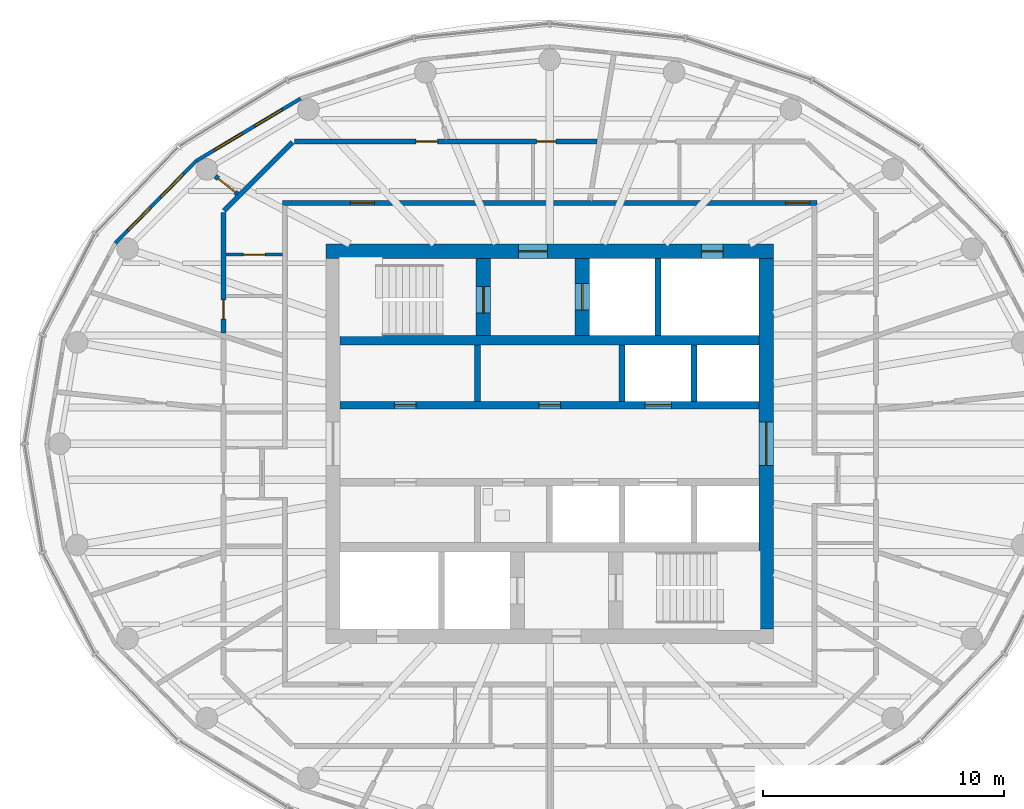
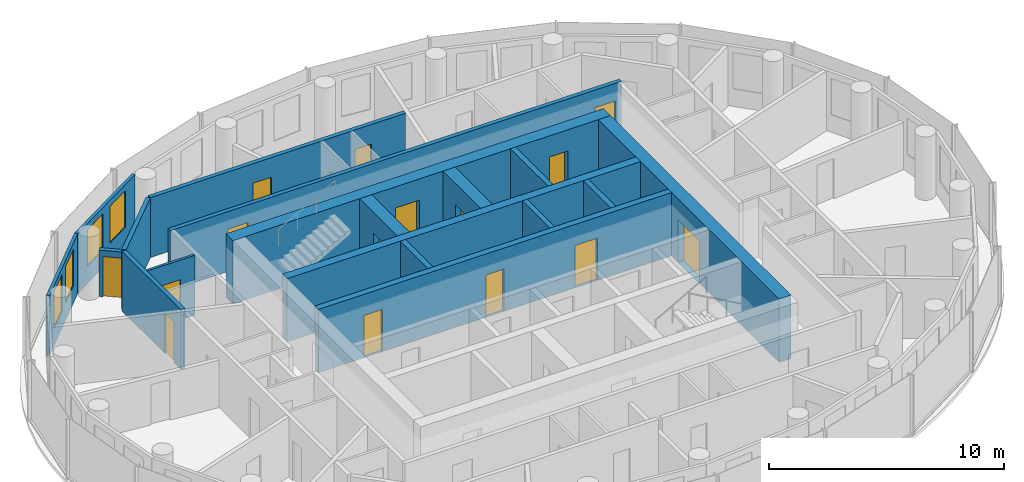
# One storey, part 7 of 12: 18 walls, 15 doors, 4 windows, 19 openings.
"""IFC4 building model written with IfcOpenShell, lengths in metres."""

import ifcopenshell
import ifcopenshell.guid

model = None  # the IFC model being written
_history = None  # IfcOwnerHistory: only IFC2X3 demands one
_inside = {}  # id of a spatial element -> (the spatial element, [elements in it])
_under = {}  # id of a project, library or spatial element -> (it, [spatial elements below it])
_declared = {}  # id of a project -> (the project, [libraries it declares])
_typed = {}  # id of a type object -> (the type object, [elements of that type])
_made_of = {}  # id of a material, layer set ... -> (it, [elements and type objects made of it])


def new_model(schema):
    """Start an empty IFC model of exactly this schema.

    Asked for "IFC4X3", IfcOpenShell would pick the latest addendum, in which some entities
    have other attributes; the version numbers below select the first issue.
    IFC2X3 requires an IfcOwnerHistory on every rooted entity: one is made here for all.
    """
    global model, _history
    if schema == "IFC4X3":
        model = ifcopenshell.file(schema_version=(4, 3, 0, 0))
    else:
        model = ifcopenshell.file(schema=schema)
    _inside.clear()
    _under.clear()
    _declared.clear()
    _typed.clear()
    _made_of.clear()
    _history = None
    if model.schema == "IFC2X3":
        org = make("IfcOrganization", Name="unknown")
        user = make(
            "IfcPersonAndOrganization",
            ThePerson=make("IfcPerson", FamilyName="unknown"),
            TheOrganization=org,
        )
        app = make(
            "IfcApplication",
            ApplicationDeveloper=org,
            Version="unknown",
            ApplicationFullName="unknown",
            ApplicationIdentifier="unknown",
        )
        _history = make(
            "IfcOwnerHistory",
            OwningUser=user,
            OwningApplication=app,
            ChangeAction="ADDED",
            CreationDate=0,
        )
    return model


def make(cls, **values):
    """One entity of the class cls with the attributes given. An attribute that is None is left unset."""
    return model.create_entity(
        cls, **{name: value for name, value in values.items() if value is not None}
    )


def rooted(cls, **values):
    """An entity with a GlobalId (a new one), such as an element, a storey or a relation."""
    return make(cls, GlobalId=ifcopenshell.guid.new(), OwnerHistory=_history, **values)


def si_unit(unit_type, name, prefix=None):
    """IfcSIUnit, for example si_unit("LENGTHUNIT", "METRE", prefix="MILLI")."""
    return make("IfcSIUnit", UnitType=unit_type, Prefix=prefix, Name=name)


def assignment(units):
    """IfcUnitAssignment: the units of a project."""
    return None if units is None else make("IfcUnitAssignment", Units=units)


def point(xyz):
    """IfcCartesianPoint."""
    return None if xyz is None else make("IfcCartesianPoint", Coordinates=xyz)


def direction(xyz):
    """IfcDirection."""
    return None if xyz is None else make("IfcDirection", DirectionRatios=xyz)


def frame(location, z_axis=None, x_axis=None):
    """IfcAxis2Placement3D, a coordinate frame: its origin and axes. An axis left out is left unset."""
    return make(
        "IfcAxis2Placement3D",
        Location=point(location),
        Axis=direction(z_axis),
        RefDirection=direction(x_axis),
    )


def frame_2d(location, x_axis=None):
    """IfcAxis2Placement2D, a coordinate frame in the plane: its origin and x axis."""
    return make(
        "IfcAxis2Placement2D", Location=point(location), RefDirection=direction(x_axis)
    )


def origin():
    """The frame at (0, 0, 0) with its axes left unset."""
    return frame((0.0, 0.0, 0.0))


def place(relative_to, where):
    """IfcLocalPlacement: puts the frame where relative to a parent placement (None: the world)."""
    return make(
        "IfcLocalPlacement", PlacementRelTo=relative_to, RelativePlacement=where
    )


def context(
    kind, dimensions, precision=None, world=None, true_north=None, identifier=None
):
    """IfcGeometricRepresentationContext, for example the 3D "Model" context."""
    return make(
        "IfcGeometricRepresentationContext",
        ContextIdentifier=identifier,
        ContextType=kind,
        CoordinateSpaceDimension=dimensions,
        Precision=precision,
        WorldCoordinateSystem=world,
        TrueNorth=true_north,
    )


def subcontext(parent, identifier, kind, view, scale=None):
    """IfcGeometricRepresentationSubContext, for example "Body" below "Model"."""
    return make(
        "IfcGeometricRepresentationSubContext",
        ContextIdentifier=identifier,
        ContextType=kind,
        ParentContext=parent,
        TargetScale=scale,
        TargetView=view,
    )


def project(units=None, contexts=None):
    """IfcProject with its units and contexts."""
    return rooted(
        "IfcProject",
        Name="project",
        RepresentationContexts=contexts,
        UnitsInContext=assignment(units),
    )


def spatial(cls, under=None, at=None, **own):
    """A site, building, storey or space (cls), placed at a placement, below another one or the project."""
    s = rooted(cls, ObjectPlacement=at, **own)
    if under is not None:
        _under.setdefault(under.id(), (under, []))[1].append(s)
    return s


def profile(cls, at=None, kind="AREA", **sizes):
    """A parametric profile (cls). Its sizes go by their IFC names, for example OverallWidth=200.0."""
    return make(cls, ProfileType=kind, Position=at, **sizes)


def rectangle(**sizes):
    """IfcRectangleProfileDef."""
    return profile("IfcRectangleProfileDef", **sizes)


def extrude(swept, where, along, depth):
    """IfcExtrudedAreaSolid: the profile swept, set in the frame where, extruded along a direction by depth."""
    return make(
        "IfcExtrudedAreaSolid",
        SweptArea=swept,
        Position=where,
        ExtrudedDirection=direction(along),
        Depth=depth,
    )


def shape(context_of_items, identifier, shape_type, items):
    """IfcShapeRepresentation: the items that make up one representation, for example the "Body"."""
    return make(
        "IfcShapeRepresentation",
        ContextOfItems=context_of_items,
        RepresentationIdentifier=identifier,
        RepresentationType=shape_type,
        Items=items,
    )


def material(Name=None, Category=None):
    """IfcMaterial."""
    return make("IfcMaterial", Name=Name, Category=Category)


def layer(
    of_material, thickness, ventilated=None, Name=None, Category=None, Priority=None
):
    """IfcMaterialLayer: one layer of a wall or slab, of a material (None: an air gap)."""
    return make(
        "IfcMaterialLayer",
        Material=of_material,
        LayerThickness=thickness,
        IsVentilated=ventilated,
        Name=Name,
        Category=Category,
        Priority=Priority,
    )


def layer_set(layers, Name=None):
    """IfcMaterialLayerSet."""
    return make("IfcMaterialLayerSet", MaterialLayers=layers, LayerSetName=Name)


def made_of(thing, what):
    """Note that an element or type object is made of a material, layer set ...; save() writes the relation."""
    if what is not None:
        _made_of.setdefault(what.id(), (what, []))[1].append(thing)
    return thing


def type_object(cls, material=None, **own):
    """A type object (cls), such as IfcWallType, which elements share."""
    return made_of(rooted(cls, **own), material)


def element(
    cls,
    number,
    at=None,
    inside=None,
    cuts=None,
    type_object=None,
    material=None,
    context=None,
    identifier="Body",
    shape_type=None,
    held_by="IfcProductDefinitionShape",
    body=None,
    shapes=None,
    **own,
):
    """One element of the class cls, such as IfcWall. Its Tag is "e" and its number.

    at: its placement. inside: the storey or other place that contains it. cuts: it is an
    opening in that element (IfcRelVoidsElement). A single representation is given by context,
    identifier, shape_type and body (its items); several are given by shapes. held_by: the class
    of the entity that holds the representations. save() writes the other relations.
    """
    e = rooted(cls, Tag="e%d" % number, ObjectPlacement=at, **own)
    if body is not None:
        shapes = [shape(context, identifier, shape_type, body)]
    if shapes is not None:
        e.Representation = make(held_by, Representations=shapes)
    if inside is not None:
        _inside.setdefault(inside.id(), (inside, []))[1].append(e)
    if cuts is not None:
        rooted(
            "IfcRelVoidsElement", RelatingBuildingElement=cuts, RelatedOpeningElement=e
        )
    if type_object is not None:
        _typed.setdefault(type_object.id(), (type_object, []))[1].append(e)
    return made_of(e, material)


def fill(opening, filler):
    """IfcRelFillsElement: the door or window that sits in an opening."""
    return rooted(
        "IfcRelFillsElement",
        RelatingOpeningElement=opening,
        RelatedBuildingElement=filler,
    )


def aggregate(whole, parts):
    """IfcRelAggregates: a whole, such as a stair, and the parts it consists of."""
    return rooted("IfcRelAggregates", RelatingObject=whole, RelatedObjects=parts)


def save(model, path):
    """Write the relations noted so far, then the file.

    IfcRelAggregates (storeys below a building ...), IfcRelContainedInSpatialStructure (elements
    in a storey), IfcRelDefinesByType, IfcRelAssociatesMaterial and IfcRelDeclares: one each for
    every whole, place, type object, material and project.
    """
    for whole, parts in _under.values():
        aggregate(whole, parts)
    for where, things in _inside.values():
        rooted(
            "IfcRelContainedInSpatialStructure",
            RelatedElements=things,
            RelatingStructure=where,
        )
    for kind, things in _typed.values():
        rooted("IfcRelDefinesByType", RelatedObjects=things, RelatingType=kind)
    for what, things in _made_of.values():
        rooted("IfcRelAssociatesMaterial", RelatedObjects=things, RelatingMaterial=what)
    for by, libraries in _declared.values():
        rooted("IfcRelDeclares", RelatingContext=by, RelatedDefinitions=libraries)
    model.write(path)


model = new_model("IFC4")

# Units and contexts
model_context = context("Model", 3, precision=1e-05, world=origin(), true_north=direction((0.0, 1.0)))
body_context = subcontext(model_context, "Body", "Model", "MODEL_VIEW")
ifc_project = project(units=[si_unit("LENGTHUNIT", "METRE"), si_unit("AREAUNIT", "SQUARE_METRE"), si_unit("VOLUMEUNIT", "CUBIC_METRE"), si_unit("PLANEANGLEUNIT", "RADIAN"), si_unit("MASSUNIT", "GRAM", prefix="KILO")], contexts=[model_context])

# Site, building, storey
site_placement = place(None, origin())
site = spatial("IfcSite", under=ifc_project, at=site_placement, CompositionType="ELEMENT")
building_placement = place(site_placement, origin())
building = spatial("IfcBuilding", under=site, at=building_placement, Name="Hankou Lantern Tower", CompositionType="ELEMENT")
storey_placement = place(building_placement, frame((0.0, 0.0, 216.0)))
storey = spatial("IfcBuildingStorey", under=building, at=storey_placement, Name="L58", CompositionType="ELEMENT", Elevation=216.0)

# Wall, openings, doors
ifc_material_1 = material(Name="Concrete C60", Category="concrete")
ifc_layer_1 = layer(ifc_material_1, 0.60009765625)
ifc_layer_set_1 = layer_set([ifc_layer_1], Name="Concrete C60")
wall_type_1 = type_object("IfcWallType", Name="CW3 CORE WALL 600", PredefinedType="SHEAR", material=ifc_layer_set_1)
wall_1_placement = place(storey_placement, frame((-9.300048828125, 8.0, 0.0), z_axis=(0.0, 0.0, 1.0), x_axis=(1.0, 0.0, 0.0)))
wall_1 = element("IfcWall", 1, at=wall_1_placement, inside=storey, type_object=wall_type_1, Name="Core wall north L58", PredefinedType="SHEAR", context=body_context, shape_type="SweptSolid", body=[
    extrude(rectangle(XDim=18.60009765625, YDim=0.60009765625, at=frame_2d((9.300048828125, 0.0))), origin(), (0.0, 0.0, 1.0), 3.300048828125),
])
opening_1_placement = place(wall_1_placement, frame((8.0, 0.0, 0.0)))
opening_1 = element("IfcOpeningElement", 2, at=opening_1_placement, cuts=wall_1, Name="Opening D5", PredefinedType="OPENING", context=body_context, shape_type="SweptSolid", body=[
    extrude(rectangle(XDim=1.199951171875, YDim=2.199951171875, at=frame_2d((0.60009765625, 1.10009765625))), frame((0.0, 0.31005859375, 0.0), z_axis=(0.0, -1.0, 0.0), x_axis=(1.0, 0.0, 0.0)), (0.0, 0.0, 1.0), 0.6201171875),
])
opening_2_placement = place(wall_1_placement, frame((15.60009765625, 0.0, 0.0)))
opening_2 = element("IfcOpeningElement", 3, at=opening_2_placement, cuts=wall_1, Name="Opening D7", PredefinedType="OPENING", context=body_context, shape_type="SweptSolid", body=[
    extrude(rectangle(XDim=0.89990234375, YDim=2.199951171875, at=frame_2d((0.449951171875, 1.10009765625))), frame((0.0, 0.31005859375, 0.0), z_axis=(0.0, -1.0, 0.0), x_axis=(1.0, 0.0, 0.0)), (0.0, 0.0, 1.0), 0.6201171875),
])
ifc_material_2 = material(Name="Steel door leaf", Category="steel")
door_type_1 = type_object("IfcDoorType", Name="D5 STAIR LOBBY DOOR 1200X2200", OperationType="SINGLE_SWING_LEFT", PredefinedType="DOOR", material=ifc_material_2)
door_1_placement = place(opening_1_placement, origin())
door_1 = element("IfcDoor", 4, at=door_1_placement, inside=storey, type_object=door_type_1, Name="Stair A lobby door", OperationType="SINGLE_SWING_LEFT", OverallHeight=2.199951171875, OverallWidth=1.199951171875, PredefinedType="DOOR", context=body_context, shape_type="SweptSolid", body=[
    extrude(rectangle(XDim=1.199951171875, YDim=2.199951171875, at=frame_2d((0.60009765625, 1.10009765625))), frame((0.0, 0.02490234375, 0.0), z_axis=(0.0, -1.0, 0.0), x_axis=(1.0, 0.0, 0.0)), (0.0, 0.0, 1.0), 0.050048828125),
])
fill(opening_1, door_1)
ifc_material_3 = material(Name="Steel door leaf", Category="steel")
door_type_2 = type_object("IfcDoorType", Name="D7 RISER DOOR 900X2200", OperationType="SINGLE_SWING_LEFT", PredefinedType="DOOR", material=ifc_material_3)
door_2_placement = place(opening_2_placement, origin())
door_2 = element("IfcDoor", 5, at=door_2_placement, inside=storey, type_object=door_type_2, Name="Riser N1 door", OperationType="SINGLE_SWING_RIGHT", OverallHeight=2.199951171875, OverallWidth=0.89990234375, PredefinedType="DOOR", context=body_context, shape_type="SweptSolid", body=[
    extrude(rectangle(XDim=0.89990234375, YDim=2.199951171875, at=frame_2d((0.449951171875, 1.10009765625))), frame((0.0, 0.02490234375, 0.0), z_axis=(0.0, -1.0, 0.0), x_axis=(1.0, 0.0, 0.0)), (0.0, 0.0, 1.0), 0.050048828125),
])
fill(opening_2, door_2)

# Wall, opening, door
wall_2_placement = place(storey_placement, frame((9.0, -7.699951171875, 0.0), z_axis=(0.0, 0.0, 1.0), x_axis=(0.0, 1.0, 0.0)))
wall_2 = element("IfcWall", 6, at=wall_2_placement, inside=storey, type_object=wall_type_1, Name="Core wall east L58", PredefinedType="SHEAR", context=body_context, shape_type="SweptSolid", body=[
    extrude(rectangle(XDim=15.39990234375, YDim=0.60009765625, at=frame_2d((7.699951171875, 0.0))), origin(), (0.0, 0.0, 1.0), 3.300048828125),
])
opening_3_placement = place(wall_2_placement, frame((6.800048828125, 0.0, 0.0)))
opening_3 = element("IfcOpeningElement", 7, at=opening_3_placement, cuts=wall_2, Name="Opening D6", PredefinedType="OPENING", context=body_context, shape_type="SweptSolid", body=[
    extrude(rectangle(XDim=1.800048828125, YDim=2.199951171875, at=frame_2d((0.89990234375, 1.10009765625))), frame((0.0, 0.31005859375, 0.0), z_axis=(0.0, -1.0, 0.0), x_axis=(1.0, 0.0, 0.0)), (0.0, 0.0, 1.0), 0.6201171875),
])
ifc_material_4 = material(Name="Steel door leaf", Category="steel")
door_type_3 = type_object("IfcDoorType", Name="D6 LIFT LOBBY DOOR 1800X2200", OperationType="DOUBLE_DOOR_DOUBLE_SWING", PredefinedType="DOOR", material=ifc_material_4)
door_3_placement = place(opening_3_placement, origin())
door_3 = element("IfcDoor", 8, at=door_3_placement, inside=storey, type_object=door_type_3, Name="Lift lobby east door", OperationType="DOUBLE_DOOR_DOUBLE_SWING", OverallHeight=2.199951171875, OverallWidth=1.800048828125, PredefinedType="DOOR", context=body_context, shape_type="SweptSolid", body=[
    extrude(rectangle(XDim=1.800048828125, YDim=2.199951171875, at=frame_2d((0.89990234375, 1.10009765625))), frame((0.0, 0.02490234375, 0.0), z_axis=(0.0, -1.0, 0.0), x_axis=(1.0, 0.0, 0.0)), (0.0, 0.0, 1.0), 0.050048828125),
])
fill(opening_3, door_3)

# Wall
ifc_material_5 = material(Name="Concrete C60", Category="concrete")
ifc_layer_2 = layer(ifc_material_5, 0.39990234375)
ifc_layer_set_2 = layer_set([ifc_layer_2], Name="Concrete C60")
wall_type_2 = type_object("IfcWallType", Name="CW4 CORE CROSS WALL 400", PredefinedType="SHEAR", material=ifc_layer_set_2)
wall_3_placement = place(storey_placement, frame((-8.699951171875, 4.300048828125, 0.0), z_axis=(0.0, 0.0, 1.0), x_axis=(1.0, 0.0, 0.0)))
element("IfcWall", 9, at=wall_3_placement, inside=storey, type_object=wall_type_2, Name="Core band wall north L58", PredefinedType="SHEAR", context=body_context, shape_type="SweptSolid", body=[
    extrude(rectangle(XDim=17.39990234375, YDim=0.39990234375, at=frame_2d((8.699951171875, 0.0))), origin(), (0.0, 0.0, 1.0), 3.300048828125),
])

# Wall, openings, doors
ifc_material_6 = material(Name="Concrete C60", Category="concrete")
ifc_layer_3 = layer(ifc_material_6, 0.300048828125)
ifc_layer_set_3 = layer_set([ifc_layer_3], Name="Concrete C60")
wall_type_3 = type_object("IfcWallType", Name="CW5 LIFT LOBBY WALL 300", PredefinedType="SHEAR", material=ifc_layer_set_3)
wall_4_placement = place(storey_placement, frame((-8.699951171875, 1.60009765625, 0.0), z_axis=(0.0, 0.0, 1.0), x_axis=(1.0, 0.0, 0.0)))
wall_4 = element("IfcWall", 10, at=wall_4_placement, inside=storey, type_object=wall_type_3, Name="Lift lobby wall north L58", PredefinedType="SHEAR", context=body_context, shape_type="SweptSolid", body=[
    extrude(rectangle(XDim=17.39990234375, YDim=0.300048828125, at=frame_2d((8.699951171875, 0.0))), origin(), (0.0, 0.0, 1.0), 3.300048828125),
])
opening_4_placement = place(wall_4_placement, frame((12.64990234375, 0.0, 0.0)))
opening_4 = element("IfcOpeningElement", 11, at=opening_4_placement, cuts=wall_4, Name="Opening LD1", PredefinedType="OPENING", context=body_context, shape_type="SweptSolid", body=[
    extrude(rectangle(XDim=1.10009765625, YDim=2.199951171875, at=frame_2d((0.550048828125, 1.10009765625))), frame((0.0, 0.159912109375, 0.0), z_axis=(0.0, -1.0, 0.0), x_axis=(1.0, 0.0, 0.0)), (0.0, 0.0, 1.0), 0.320068359375),
])
opening_5_placement = place(wall_4_placement, frame((2.25, 0.0, 0.0)))
opening_5 = element("IfcOpeningElement", 12, at=opening_5_placement, cuts=wall_4, Name="Opening D30", PredefinedType="OPENING", context=body_context, shape_type="SweptSolid", body=[
    extrude(rectangle(XDim=0.89990234375, YDim=2.199951171875, at=frame_2d((0.449951171875, 1.10009765625))), frame((0.0, 0.159912109375, 0.0), z_axis=(0.0, -1.0, 0.0), x_axis=(1.0, 0.0, 0.0)), (0.0, 0.0, 1.0), 0.320068359375),
])
opening_6_placement = place(wall_4_placement, frame((8.25, 0.0, 0.0)))
opening_6 = element("IfcOpeningElement", 13, at=opening_6_placement, cuts=wall_4, Name="Opening D30", PredefinedType="OPENING", context=body_context, shape_type="SweptSolid", body=[
    extrude(rectangle(XDim=0.89990234375, YDim=2.199951171875, at=frame_2d((0.449951171875, 1.10009765625))), frame((0.0, 0.159912109375, 0.0), z_axis=(0.0, -1.0, 0.0), x_axis=(1.0, 0.0, 0.0)), (0.0, 0.0, 1.0), 0.320068359375),
])
ifc_material_7 = material(Name="Steel door leaf", Category="steel")
door_type_4 = type_object("IfcDoorType", Name="D30 CORE ROOM DOOR 900X2200", OperationType="SINGLE_SWING_LEFT", PredefinedType="DOOR", material=ifc_material_7)
door_4_placement = place(opening_5_placement, origin())
door_4 = element("IfcDoor", 14, at=door_4_placement, inside=storey, type_object=door_type_4, Name="Guest pantry and ice room door", OperationType="SINGLE_SWING_LEFT", OverallHeight=2.199951171875, OverallWidth=0.89990234375, PredefinedType="DOOR", context=body_context, shape_type="SweptSolid", body=[
    extrude(rectangle(XDim=0.89990234375, YDim=2.199951171875, at=frame_2d((0.449951171875, 1.10009765625))), frame((0.0, 0.02490234375, 0.0), z_axis=(0.0, -1.0, 0.0), x_axis=(1.0, 0.0, 0.0)), (0.0, 0.0, 1.0), 0.050048828125),
])
fill(opening_5, door_4)
door_5_placement = place(opening_6_placement, origin())
door_5 = element("IfcDoor", 15, at=door_5_placement, inside=storey, type_object=door_type_4, Name="Vending room door", OperationType="SINGLE_SWING_LEFT", OverallHeight=2.199951171875, OverallWidth=0.89990234375, PredefinedType="DOOR", context=body_context, shape_type="SweptSolid", body=[
    extrude(rectangle(XDim=0.89990234375, YDim=2.199951171875, at=frame_2d((0.449951171875, 1.10009765625))), frame((0.0, 0.02490234375, 0.0), z_axis=(0.0, -1.0, 0.0), x_axis=(1.0, 0.0, 0.0)), (0.0, 0.0, 1.0), 0.050048828125),
])
fill(opening_6, door_5)
ifc_material_8 = material(Name="Steel door leaf", Category="steel")
door_type_5 = type_object("IfcDoorType", Name="LD1 LIFT LANDING DOOR 1100X2200", OperationType="DOUBLE_DOOR_SLIDING", PredefinedType="DOOR", material=ifc_material_8)
door_6_placement = place(opening_4_placement, origin())
door_6 = element("IfcDoor", 16, at=door_6_placement, inside=storey, type_object=door_type_5, Name="Lift T1 landing door", OperationType="DOUBLE_DOOR_SLIDING", OverallHeight=2.199951171875, OverallWidth=1.10009765625, PredefinedType="DOOR", context=body_context, shape_type="SweptSolid", body=[
    extrude(rectangle(XDim=1.10009765625, YDim=2.199951171875, at=frame_2d((0.550048828125, 1.10009765625))), frame((0.0, 0.02490234375, 0.0), z_axis=(0.0, -1.0, 0.0), x_axis=(1.0, 0.0, 0.0)), (0.0, 0.0, 1.0), 0.050048828125),
])
fill(opening_4, door_6)

# Wall, opening, door
ifc_material_9 = material(Name="Concrete C60", Category="concrete")
ifc_layer_4 = layer(ifc_material_9, 0.60009765625)
ifc_layer_set_4 = layer_set([ifc_layer_4], Name="Concrete C60")
wall_type_4 = type_object("IfcWallType", Name="CW6 STAIR AND SHAFT WALL 600", PredefinedType="SHEAR", material=ifc_layer_set_4)
wall_5_placement = place(storey_placement, frame((-2.75, 4.5, 0.0), z_axis=(0.0, 0.0, 1.0), x_axis=(0.0, 1.0, 0.0)))
wall_5 = element("IfcWall", 17, at=wall_5_placement, inside=storey, type_object=wall_type_4, Name="Stair wall L58", PredefinedType="SHEAR", context=body_context, shape_type="SweptSolid", body=[
    extrude(rectangle(XDim=3.199951171875, YDim=0.60009765625, at=frame_2d((1.60009765625, 0.0))), origin(), (0.0, 0.0, 1.0), 3.300048828125),
])
opening_7_placement = place(wall_5_placement, frame((0.925048828125, 0.0, 0.0)))
opening_7 = element("IfcOpeningElement", 18, at=opening_7_placement, cuts=wall_5, Name="Opening D4", PredefinedType="OPENING", context=body_context, shape_type="SweptSolid", body=[
    extrude(rectangle(XDim=1.10009765625, YDim=2.199951171875, at=frame_2d((0.550048828125, 1.10009765625))), frame((0.0, 0.31005859375, 0.0), z_axis=(0.0, -1.0, 0.0), x_axis=(1.0, 0.0, 0.0)), (0.0, 0.0, 1.0), 0.6201171875),
])
ifc_material_10 = material(Name="Steel door leaf", Category="steel")
door_type_6 = type_object("IfcDoorType", Name="D4 STAIR DOOR 1100X2200", OperationType="SINGLE_SWING_LEFT", PredefinedType="DOOR", material=ifc_material_10)
door_7_placement = place(opening_7_placement, origin())
door_7 = element("IfcDoor", 19, at=door_7_placement, inside=storey, type_object=door_type_6, Name="Stair A door", OperationType="SINGLE_SWING_LEFT", OverallHeight=2.199951171875, OverallWidth=1.10009765625, PredefinedType="DOOR", context=body_context, shape_type="SweptSolid", body=[
    extrude(rectangle(XDim=1.10009765625, YDim=2.199951171875, at=frame_2d((0.550048828125, 1.10009765625))), frame((0.0, 0.02490234375, 0.0), z_axis=(0.0, -1.0, 0.0), x_axis=(1.0, 0.0, 0.0)), (0.0, 0.0, 1.0), 0.050048828125),
])
fill(opening_7, door_7)

wall_6_placement = place(storey_placement, frame((1.35009765625, 4.5, 0.0), z_axis=(0.0, 0.0, 1.0), x_axis=(0.0, 1.0, 0.0)))
wall_6 = element("IfcWall", 20, at=wall_6_placement, inside=storey, type_object=wall_type_4, Name="Firefighting lift shaft wall L58", PredefinedType="SHEAR", context=body_context, shape_type="SweptSolid", body=[
    extrude(rectangle(XDim=3.199951171875, YDim=0.60009765625, at=frame_2d((1.60009765625, 0.0))), origin(), (0.0, 0.0, 1.0), 3.300048828125),
])
opening_8_placement = place(wall_6_placement, frame((1.050048828125, 0.0, 0.0)))
opening_8 = element("IfcOpeningElement", 21, at=opening_8_placement, cuts=wall_6, Name="Opening LD2", PredefinedType="OPENING", context=body_context, shape_type="SweptSolid", body=[
    extrude(rectangle(XDim=1.10009765625, YDim=2.199951171875, at=frame_2d((0.550048828125, 1.10009765625))), frame((0.0, 0.31005859375, 0.0), z_axis=(0.0, -1.0, 0.0), x_axis=(1.0, 0.0, 0.0)), (0.0, 0.0, 1.0), 0.6201171875),
])
ifc_material_11 = material(Name="Steel door leaf", Category="steel")
door_type_7 = type_object("IfcDoorType", Name="LD2 FIREFIGHTING LIFT LANDING DOOR 1100X2200", OperationType="DOUBLE_DOOR_SLIDING", PredefinedType="DOOR", material=ifc_material_11)
door_8_placement = place(opening_8_placement, origin())
door_8 = element("IfcDoor", 22, at=door_8_placement, inside=storey, type_object=door_type_7, Name="Firefighting lift FL1 landing door", OperationType="DOUBLE_DOOR_SLIDING", OverallHeight=2.199951171875, OverallWidth=1.10009765625, PredefinedType="DOOR", context=body_context, shape_type="SweptSolid", body=[
    extrude(rectangle(XDim=1.10009765625, YDim=2.199951171875, at=frame_2d((0.550048828125, 1.10009765625))), frame((0.0, 0.02490234375, 0.0), z_axis=(0.0, -1.0, 0.0), x_axis=(1.0, 0.0, 0.0)), (0.0, 0.0, 1.0), 0.050048828125),
])
fill(opening_8, door_8)

# Wall, openings, windows
ifc_material_12 = material(Name="Aluminium spandrel panel on steel studs", Category="steel")
ifc_layer_5 = layer(ifc_material_12, 0.14990234375)
ifc_layer_set_5 = layer_set([ifc_layer_5], Name="Aluminium spandrel panel on steel studs")
wall_type_5 = type_object("IfcWallType", Name="EW1 INNER SKIN WALL 150", PredefinedType="ELEMENTEDWALL", material=ifc_layer_set_5)
wall_7_placement = place(storey_placement, frame((-10.346435546875, 14.33642578125, 0.0), z_axis=(0.0, 0.0, 1.0), x_axis=(-0.85822150553, -0.513279502265, 0.0)))
wall_7 = element("IfcWall", 23, at=wall_7_placement, inside=storey, type_object=wall_type_5, Name="Inner skin R09-R10 L58", PredefinedType="ELEMENTEDWALL", context=body_context, shape_type="SweptSolid", body=[
    extrude(rectangle(XDim=5.050048828125, YDim=0.14990234375, at=frame_2d((2.52490234375, 0.0))), origin(), (0.0, 0.0, 1.0), 3.1201171875),
])
opening_9_placement = place(wall_7_placement, frame((0.875, 0.0, 0.89990234375)))
opening_9 = element("IfcOpeningElement", 24, at=opening_9_placement, cuts=wall_7, Name="Opening W4", PredefinedType="OPENING", context=body_context, shape_type="SweptSolid", body=[
    extrude(rectangle(XDim=1.35009765625, YDim=1.89990234375, at=frame_2d((0.675048828125, 0.949951171875))), frame((0.0, 0.0849609375, 0.0), z_axis=(0.0, -1.0, 0.0), x_axis=(1.0, 0.0, 0.0)), (0.0, 0.0, 1.0), 0.169921875),
])
opening_10_placement = place(wall_7_placement, frame((2.824951171875, 0.0, 0.89990234375)))
opening_10 = element("IfcOpeningElement", 25, at=opening_10_placement, cuts=wall_7, Name="Opening W4", PredefinedType="OPENING", context=body_context, shape_type="SweptSolid", body=[
    extrude(rectangle(XDim=1.35009765625, YDim=1.89990234375, at=frame_2d((0.675048828125, 0.949951171875))), frame((0.0, 0.0849609375, 0.0), z_axis=(0.0, -1.0, 0.0), x_axis=(1.0, 0.0, 0.0)), (0.0, 0.0, 1.0), 0.169921875),
])
ifc_material_13 = material(Name="Aluminium framed double glazed window", Category="aluminium")
window_type = type_object("IfcWindowType", Name="W4 SUITE WINDOW 1350X1900", PartitioningType="DOUBLE_PANEL_VERTICAL", PredefinedType="WINDOW", material=ifc_material_13)
window_1_placement = place(opening_9_placement, origin())
window_1 = element("IfcWindow", 26, at=window_1_placement, inside=storey, type_object=window_type, Name="Window R09.1 L58", OverallHeight=1.89990234375, OverallWidth=1.35009765625, PartitioningType="SINGLE_PANEL", PredefinedType="WINDOW", context=body_context, shape_type="SweptSolid", body=[
    extrude(rectangle(XDim=1.35009765625, YDim=1.89990234375, at=frame_2d((0.675048828125, 0.949951171875))), frame((0.0, 0.030029296875, 0.0), z_axis=(0.0, -1.0, 0.0), x_axis=(1.0, 0.0, 0.0)), (0.0, 0.0, 1.0), 0.06005859375),
])
fill(opening_9, window_1)
window_2_placement = place(opening_10_placement, origin())
window_2 = element("IfcWindow", 27, at=window_2_placement, inside=storey, type_object=window_type, Name="Window R09.2 L58", OverallHeight=1.89990234375, OverallWidth=1.35009765625, PartitioningType="SINGLE_PANEL", PredefinedType="WINDOW", context=body_context, shape_type="SweptSolid", body=[
    extrude(rectangle(XDim=1.35009765625, YDim=1.89990234375, at=frame_2d((0.675048828125, 0.949951171875))), frame((0.0, 0.030029296875, 0.0), z_axis=(0.0, -1.0, 0.0), x_axis=(1.0, 0.0, 0.0)), (0.0, 0.0, 1.0), 0.06005859375),
])
fill(opening_10, window_2)

wall_8_placement = place(storey_placement, frame((-14.680419921875, 11.744384765625, 0.0), z_axis=(0.0, 0.0, 1.0), x_axis=(-0.701527379618, -0.712642501993, 0.0)))
wall_8 = element("IfcWall", 28, at=wall_8_placement, inside=storey, type_object=wall_type_5, Name="Inner skin R10-R11 L58", PredefinedType="ELEMENTEDWALL", context=body_context, shape_type="SweptSolid", body=[
    extrude(rectangle(XDim=4.788330078125, YDim=0.14990234375, at=frame_2d((2.39404296875, 0.0))), origin(), (0.0, 0.0, 1.0), 3.1201171875),
])
opening_11_placement = place(wall_8_placement, frame((0.744140625, 0.0, 0.89990234375)))
opening_11 = element("IfcOpeningElement", 29, at=opening_11_placement, cuts=wall_8, Name="Opening W4", PredefinedType="OPENING", context=body_context, shape_type="SweptSolid", body=[
    extrude(rectangle(XDim=1.35009765625, YDim=1.89990234375, at=frame_2d((0.675048828125, 0.949951171875))), frame((0.0, 0.0849609375, 0.0), z_axis=(0.0, -1.0, 0.0), x_axis=(1.0, 0.0, 0.0)), (0.0, 0.0, 1.0), 0.169921875),
])
opening_12_placement = place(wall_8_placement, frame((2.694091796875, 0.0, 0.89990234375)))
opening_12 = element("IfcOpeningElement", 30, at=opening_12_placement, cuts=wall_8, Name="Opening W4", PredefinedType="OPENING", context=body_context, shape_type="SweptSolid", body=[
    extrude(rectangle(XDim=1.35009765625, YDim=1.89990234375, at=frame_2d((0.675048828125, 0.949951171875))), frame((0.0, 0.0849609375, 0.0), z_axis=(0.0, -1.0, 0.0), x_axis=(1.0, 0.0, 0.0)), (0.0, 0.0, 1.0), 0.169921875),
])
window_3_placement = place(opening_11_placement, origin())
window_3 = element("IfcWindow", 31, at=window_3_placement, inside=storey, type_object=window_type, Name="Window R10.1 L58", OverallHeight=1.89990234375, OverallWidth=1.35009765625, PartitioningType="SINGLE_PANEL", PredefinedType="WINDOW", context=body_context, shape_type="SweptSolid", body=[
    extrude(rectangle(XDim=1.35009765625, YDim=1.89990234375, at=frame_2d((0.675048828125, 0.949951171875))), frame((0.0, 0.030029296875, 0.0), z_axis=(0.0, -1.0, 0.0), x_axis=(1.0, 0.0, 0.0)), (0.0, 0.0, 1.0), 0.06005859375),
])
fill(opening_11, window_3)
window_4_placement = place(opening_12_placement, origin())
window_4 = element("IfcWindow", 32, at=window_4_placement, inside=storey, type_object=window_type, Name="Window R10.2 L58", OverallHeight=1.89990234375, OverallWidth=1.35009765625, PartitioningType="SINGLE_PANEL", PredefinedType="WINDOW", context=body_context, shape_type="SweptSolid", body=[
    extrude(rectangle(XDim=1.35009765625, YDim=1.89990234375, at=frame_2d((0.675048828125, 0.949951171875))), frame((0.0, 0.030029296875, 0.0), z_axis=(0.0, -1.0, 0.0), x_axis=(1.0, 0.0, 0.0)), (0.0, 0.0, 1.0), 0.06005859375),
])
fill(opening_12, window_4)

# Wall, openings, doors
ifc_material_14 = material(Name="Masonry lightweight concrete block", Category="masonry")
ifc_layer_6 = layer(ifc_material_14, 0.199951171875)
ifc_layer_set_6 = layer_set([ifc_layer_6], Name="Masonry lightweight concrete block")
wall_type_6 = type_object("IfcWallType", Name="IW2 CORRIDOR WALL 200", PredefinedType="PARTITIONING", material=ifc_layer_set_6)
wall_9_placement = place(storey_placement, frame((-11.10009765625, 10.0, 0.0), z_axis=(0.0, 0.0, 1.0), x_axis=(1.0, 0.0, 0.0)))
wall_9 = element("IfcWall", 33, at=wall_9_placement, inside=storey, type_object=wall_type_6, Name="Corridor wall north", PredefinedType="PARTITIONING", context=body_context, shape_type="SweptSolid", body=[
    extrude(rectangle(XDim=22.2001953125, YDim=0.199951171875, at=frame_2d((11.10009765625, 0.0))), origin(), (0.0, 0.0, 1.0), 3.1201171875),
])
opening_13_placement = place(wall_9_placement, frame((20.89990234375, 0.0, 0.0)))
opening_13 = element("IfcOpeningElement", 34, at=opening_13_placement, cuts=wall_9, Name="Opening D2", PredefinedType="OPENING", context=body_context, shape_type="SweptSolid", body=[
    extrude(rectangle(XDim=1.0, YDim=2.199951171875, at=frame_2d((0.5, 1.10009765625))), frame((0.0, 0.10986328125, 0.0), z_axis=(0.0, -1.0, 0.0), x_axis=(1.0, 0.0, 0.0)), (0.0, 0.0, 1.0), 0.219970703125),
])
opening_14_placement = place(wall_9_placement, frame((2.819580078125, 0.0, 0.0)))
opening_14 = element("IfcOpeningElement", 35, at=opening_14_placement, cuts=wall_9, Name="Opening D2", PredefinedType="OPENING", context=body_context, shape_type="SweptSolid", body=[
    extrude(rectangle(XDim=1.0, YDim=2.199951171875, at=frame_2d((0.5, 1.10009765625))), frame((0.0, 0.10986328125, 0.0), z_axis=(0.0, -1.0, 0.0), x_axis=(1.0, 0.0, 0.0)), (0.0, 0.0, 1.0), 0.219970703125),
])
ifc_material_15 = material(Name="Steel door leaf", Category="steel")
door_type_8 = type_object("IfcDoorType", Name="D2 SUITE DOOR 1000X2200", OperationType="SINGLE_SWING_LEFT", PredefinedType="DOOR", material=ifc_material_15)
door_9_placement = place(opening_13_placement, origin())
door_9 = element("IfcDoor", 36, at=door_9_placement, inside=storey, type_object=door_type_8, Name="Suite door 5801", OperationType="SINGLE_SWING_LEFT", OverallHeight=2.199951171875, OverallWidth=1.0, PredefinedType="DOOR", context=body_context, shape_type="SweptSolid", body=[
    extrude(rectangle(XDim=1.0, YDim=2.199951171875, at=frame_2d((0.5, 1.10009765625))), frame((0.0, 0.02490234375, 0.0), z_axis=(0.0, -1.0, 0.0), x_axis=(1.0, 0.0, 0.0)), (0.0, 0.0, 1.0), 0.050048828125),
])
fill(opening_13, door_9)
door_10_placement = place(opening_14_placement, origin())
door_10 = element("IfcDoor", 37, at=door_10_placement, inside=storey, type_object=door_type_8, Name="Suite door 5802", OperationType="SINGLE_SWING_RIGHT", OverallHeight=2.199951171875, OverallWidth=1.0, PredefinedType="DOOR", context=body_context, shape_type="SweptSolid", body=[
    extrude(rectangle(XDim=1.0, YDim=2.199951171875, at=frame_2d((0.5, 1.10009765625))), frame((0.0, 0.02490234375, 0.0), z_axis=(0.0, -1.0, 0.0), x_axis=(1.0, 0.0, 0.0)), (0.0, 0.0, 1.0), 0.050048828125),
])
fill(opening_14, door_10)

# Wall, opening, door
ifc_material_16 = material(Name="Masonry lightweight concrete block", Category="masonry")
ifc_layer_7 = layer(ifc_material_16, 0.1201171875)
ifc_layer_set_7 = layer_set([ifc_layer_7], Name="Masonry lightweight concrete block")
wall_type_7 = type_object("IfcWallType", Name="IW3 BATHROOM WALL 120", PredefinedType="PARTITIONING", material=ifc_layer_set_7)
wall_10_placement = place(storey_placement, frame((-11.10009765625, 7.855224609375, 0.0), z_axis=(0.0, 0.0, 1.0), x_axis=(-1.0, 0.0, 0.0)))
wall_10 = element("IfcWall", 38, at=wall_10_placement, inside=storey, type_object=wall_type_7, Name="Box wall 5802 3", PredefinedType="PARTITIONING", context=body_context, shape_type="SweptSolid", body=[
    extrude(rectangle(XDim=2.349853515625, YDim=0.1201171875, at=frame_2d((1.1748046875, 0.0))), origin(), (0.0, 0.0, 1.0), 3.1201171875),
])
opening_15_placement = place(wall_10_placement, frame((0.719970703125, 0.0, 0.0)))
opening_15 = element("IfcOpeningElement", 39, at=opening_15_placement, cuts=wall_10, Name="Opening D27", PredefinedType="OPENING", context=body_context, shape_type="SweptSolid", body=[
    extrude(rectangle(XDim=0.89990234375, YDim=2.10009765625, at=frame_2d((0.449951171875, 1.050048828125))), frame((0.0, 0.070068359375, 0.0), z_axis=(0.0, -1.0, 0.0), x_axis=(1.0, 0.0, 0.0)), (0.0, 0.0, 1.0), 0.14013671875),
])
ifc_material_17 = material(Name="Timber door leaf", Category="wood")
door_type_9 = type_object("IfcDoorType", Name="D27 INTERNAL DOOR 900X2100", OperationType="SINGLE_SWING_LEFT", PredefinedType="DOOR", material=ifc_material_17)
door_11_placement = place(opening_15_placement, origin())
door_11 = element("IfcDoor", 40, at=door_11_placement, inside=storey, type_object=door_type_9, Name="Family suite 5802 walk-in wardrobe door", OperationType="SINGLE_SWING_LEFT", OverallHeight=2.10009765625, OverallWidth=0.89990234375, PredefinedType="DOOR", context=body_context, shape_type="SweptSolid", body=[
    extrude(rectangle(XDim=0.89990234375, YDim=2.10009765625, at=frame_2d((0.449951171875, 1.050048828125))), frame((0.0, 0.02490234375, 0.0), z_axis=(0.0, -1.0, 0.0), x_axis=(1.0, 0.0, 0.0)), (0.0, 0.0, 1.0), 0.050048828125),
])
fill(opening_15, door_11)

# Wall, openings, doors
ifc_material_18 = material(Name="Masonry lightweight concrete block", Category="masonry")
ifc_layer_8 = layer(ifc_material_18, 0.199951171875)
ifc_layer_set_8 = layer_set([ifc_layer_8], Name="Masonry lightweight concrete block")
wall_type_8 = type_object("IfcWallType", Name="IW6 SUITE PARTITION 200", PredefinedType="PARTITIONING", material=ifc_layer_set_8)
wall_11_placement = place(storey_placement, frame((1.967529296875, 12.550048828125, 0.0), z_axis=(0.0, 0.0, 1.0), x_axis=(-1.0, 0.0, 0.0)))
wall_11 = element("IfcWall", 41, at=wall_11_placement, inside=storey, type_object=wall_type_8, Name="Suite foyer wall 5802", PredefinedType="PARTITIONING", context=body_context, shape_type="SweptSolid", body=[
    extrude(rectangle(XDim=12.576171875, YDim=0.199951171875, at=frame_2d((6.2880859375, 0.0))), origin(), (0.0, 0.0, 1.0), 3.1201171875),
])
opening_16_placement = place(wall_11_placement, frame((1.707763671875, 0.0, 0.0)))
opening_16 = element("IfcOpeningElement", 42, at=opening_16_placement, cuts=wall_11, Name="Opening D3", PredefinedType="OPENING", context=body_context, shape_type="SweptSolid", body=[
    extrude(rectangle(XDim=0.800048828125, YDim=2.10009765625, at=frame_2d((0.39990234375, 1.050048828125))), frame((0.0, 0.10986328125, 0.0), z_axis=(0.0, -1.0, 0.0), x_axis=(1.0, 0.0, 0.0)), (0.0, 0.0, 1.0), 0.219970703125),
])
opening_17_placement = place(wall_11_placement, frame((6.6201171875, 0.0, 0.0)))
opening_17 = element("IfcOpeningElement", 43, at=opening_17_placement, cuts=wall_11, Name="Opening D27", PredefinedType="OPENING", context=body_context, shape_type="SweptSolid", body=[
    extrude(rectangle(XDim=0.89990234375, YDim=2.10009765625, at=frame_2d((0.449951171875, 1.050048828125))), frame((0.0, 0.10986328125, 0.0), z_axis=(0.0, -1.0, 0.0), x_axis=(1.0, 0.0, 0.0)), (0.0, 0.0, 1.0), 0.219970703125),
])
door_12_placement = place(opening_17_placement, origin())
door_12 = element("IfcDoor", 44, at=door_12_placement, inside=storey, type_object=door_type_9, Name="Family suite 5802 living room door", OperationType="SINGLE_SWING_LEFT", OverallHeight=2.10009765625, OverallWidth=0.89990234375, PredefinedType="DOOR", context=body_context, shape_type="SweptSolid", body=[
    extrude(rectangle(XDim=0.89990234375, YDim=2.10009765625, at=frame_2d((0.449951171875, 1.050048828125))), frame((0.0, 0.02490234375, 0.0), z_axis=(0.0, -1.0, 0.0), x_axis=(1.0, 0.0, 0.0)), (0.0, 0.0, 1.0), 0.050048828125),
])
fill(opening_17, door_12)
ifc_material_19 = material(Name="Timber door leaf", Category="wood")
door_type_10 = type_object("IfcDoorType", Name="D3 BATHROOM DOOR 800X2100", OperationType="SINGLE_SWING_LEFT", PredefinedType="DOOR", material=ifc_material_19)
door_13_placement = place(opening_16_placement, origin())
door_13 = element("IfcDoor", 45, at=door_13_placement, inside=storey, type_object=door_type_10, Name="Family suite 5802 bathroom door", OperationType="SINGLE_SWING_RIGHT", OverallHeight=2.10009765625, OverallWidth=0.800048828125, PredefinedType="DOOR", context=body_context, shape_type="SweptSolid", body=[
    extrude(rectangle(XDim=0.800048828125, YDim=2.10009765625, at=frame_2d((0.39990234375, 1.050048828125))), frame((0.0, 0.02490234375, 0.0), z_axis=(0.0, -1.0, 0.0), x_axis=(1.0, 0.0, 0.0)), (0.0, 0.0, 1.0), 0.050048828125),
])
fill(opening_16, door_13)

# Wall
wall_12_placement = place(storey_placement, frame((-10.67919921875, 12.520751953125, 0.0), z_axis=(0.0, 0.0, 1.0), x_axis=(-0.707106781187, -0.707106781187, 0.0)))
element("IfcWall", 46, at=wall_12_placement, inside=storey, type_object=wall_type_8, Name="Suite foyer wall 5802", PredefinedType="PARTITIONING", context=body_context, shape_type="SweptSolid", body=[
    extrude(rectangle(XDim=4.0185546875, YDim=0.199951171875, at=frame_2d((2.00927734375, 0.0))), origin(), (0.0, 0.0, 1.0), 3.1201171875),
])

# Wall, opening, door
wall_13_placement = place(storey_placement, frame((-13.550048828125, 9.608642578125, 0.0), z_axis=(0.0, 0.0, 1.0), x_axis=(0.0, -1.0, 0.0)))
wall_13 = element("IfcWall", 47, at=wall_13_placement, inside=storey, type_object=wall_type_8, Name="Suite foyer wall 5802", PredefinedType="PARTITIONING", context=body_context, shape_type="SweptSolid", body=[
    extrude(rectangle(XDim=5.0087890625, YDim=0.199951171875, at=frame_2d((2.50439453125, 0.0))), origin(), (0.0, 0.0, 1.0), 3.1201171875),
])
opening_18_placement = place(wall_13_placement, frame((3.63330078125, 0.0, 0.0)))
opening_18 = element("IfcOpeningElement", 48, at=opening_18_placement, cuts=wall_13, Name="Opening D3", PredefinedType="OPENING", context=body_context, shape_type="SweptSolid", body=[
    extrude(rectangle(XDim=0.800048828125, YDim=2.10009765625, at=frame_2d((0.39990234375, 1.050048828125))), frame((0.0, 0.10986328125, 0.0), z_axis=(0.0, -1.0, 0.0), x_axis=(1.0, 0.0, 0.0)), (0.0, 0.0, 1.0), 0.219970703125),
])
door_14_placement = place(opening_18_placement, origin())
door_14 = element("IfcDoor", 49, at=door_14_placement, inside=storey, type_object=door_type_10, Name="Family suite 5802 second bathroom door", OperationType="SINGLE_SWING_LEFT", OverallHeight=2.10009765625, OverallWidth=0.800048828125, PredefinedType="DOOR", context=body_context, shape_type="SweptSolid", body=[
    extrude(rectangle(XDim=0.800048828125, YDim=2.10009765625, at=frame_2d((0.39990234375, 1.050048828125))), frame((0.0, 0.02490234375, 0.0), z_axis=(0.0, -1.0, 0.0), x_axis=(1.0, 0.0, 0.0)), (0.0, 0.0, 1.0), 0.050048828125),
])
fill(opening_18, door_14)

wall_14_placement = place(storey_placement, frame((-12.967529296875, 10.3740234375, 0.0), z_axis=(0.0, 0.0, 1.0), x_axis=(-0.780888968944, 0.624669847345, 0.0)))
wall_14 = element("IfcWall", 50, at=wall_14_placement, inside=storey, type_object=wall_type_8, Name="Suite partition R10", PredefinedType="PARTITIONING", context=body_context, shape_type="SweptSolid", body=[
    extrude(rectangle(XDim=1.181396484375, YDim=0.199951171875, at=frame_2d((0.5908203125, 0.0))), origin(), (0.0, 0.0, 1.0), 2.419921875),
])
opening_19_placement = place(wall_14_placement, frame((0.1201171875, 0.0, 0.0)))
opening_19 = element("IfcOpeningElement", 51, at=opening_19_placement, cuts=wall_14, Name="Opening D27", PredefinedType="OPENING", context=body_context, shape_type="SweptSolid", body=[
    extrude(rectangle(XDim=0.89990234375, YDim=2.10009765625, at=frame_2d((0.449951171875, 1.050048828125))), frame((0.0, 0.10986328125, 0.0), z_axis=(0.0, -1.0, 0.0), x_axis=(1.0, 0.0, 0.0)), (0.0, 0.0, 1.0), 0.219970703125),
])
door_15_placement = place(opening_19_placement, origin())
door_15 = element("IfcDoor", 52, at=door_15_placement, inside=storey, type_object=door_type_9, Name="Family suite 5802 second bedroom door", OperationType="SINGLE_SWING_LEFT", OverallHeight=2.10009765625, OverallWidth=0.89990234375, PredefinedType="DOOR", context=body_context, shape_type="SweptSolid", body=[
    extrude(rectangle(XDim=0.89990234375, YDim=2.10009765625, at=frame_2d((0.449951171875, 1.050048828125))), frame((0.0, 0.02490234375, 0.0), z_axis=(0.0, -1.0, 0.0), x_axis=(1.0, 0.0, 0.0)), (0.0, 0.0, 1.0), 0.050048828125),
])
fill(opening_19, door_15)

# Walls
ifc_material_20 = material(Name="Masonry autoclaved aerated concrete block", Category="masonry")
ifc_layer_9 = layer(ifc_material_20, 0.25)
ifc_layer_set_9 = layer_set([ifc_layer_9], Name="Masonry autoclaved aerated concrete block")
wall_type_9 = type_object("IfcWallType", Name="SW1 SHAFT BLOCK WALL 250", PredefinedType="PARTITIONING", material=ifc_layer_set_9)
wall_15_placement = place(storey_placement, frame((4.5, 4.5, 0.0), z_axis=(0.0, 0.0, 1.0), x_axis=(0.0, 1.0, 0.0)))
element("IfcWall", 53, at=wall_15_placement, inside=storey, type_object=wall_type_9, Name="Riser wall L58", PredefinedType="PARTITIONING", context=body_context, shape_type="SweptSolid", body=[
    extrude(rectangle(XDim=3.199951171875, YDim=0.25, at=frame_2d((1.60009765625, 0.0))), origin(), (0.0, 0.0, 1.0), 3.300048828125),
])
for number, where, z_axis, x_axis, name in (
    (54, (-3.0, 1.75, 0.0), (0.0, 0.0, 1.0), (0.0, 1.0, 0.0), "Lift shaft wall L58"),
    (55, (3.0, 1.75, 0.0), (0.0, 0.0, 1.0), (0.0, 1.0, 0.0), "Lift shaft wall L58"),
    (56, (6.0, 1.75, 0.0), (0.0, 0.0, 1.0), (0.0, 1.0, 0.0), "Lift shaft wall L58"),
):
    element("IfcWall", number, at=place(storey_placement, frame(where, z_axis=z_axis, x_axis=x_axis)), inside=storey, type_object=wall_type_9, Name=name, PredefinedType="PARTITIONING", context=body_context, shape_type="SweptSolid", body=[
        extrude(rectangle(XDim=2.35009765625, YDim=0.25, at=frame_2d((1.175048828125, 0.0))), origin(), (0.0, 0.0, 1.0), 3.300048828125),
    ])

save(model, "model.ifc")
